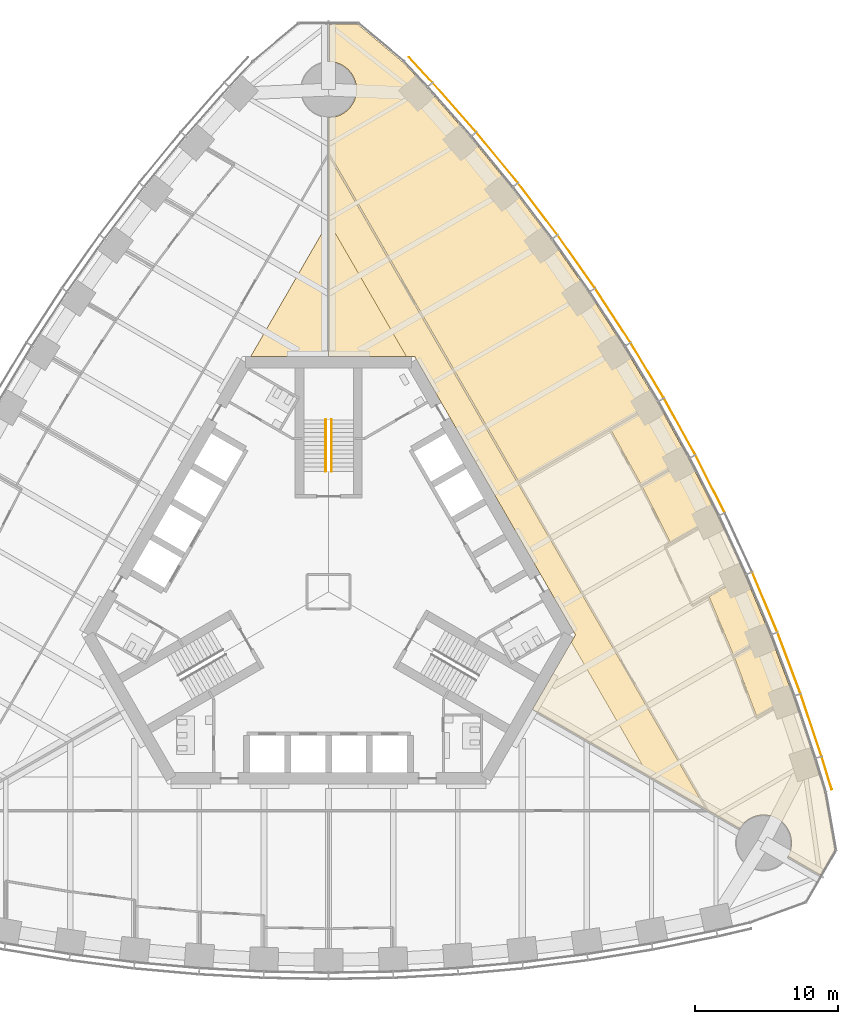
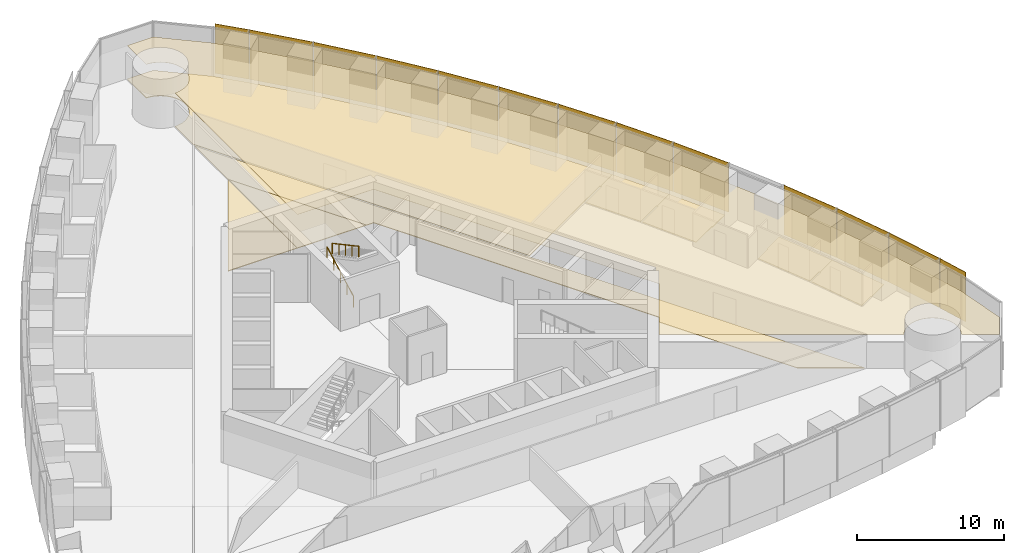
# One storey, part 16 of 18: 13 shading devices, 9 coverings, 2 railings.
"""IFC4 building model written with IfcOpenShell, lengths in metres."""

from ifc_helpers import new_model, si_unit, direction, frame, origin, origin_2d, place, context, subcontext, project, spatial, polyline, rectangle, circle, outline, extrude, material, layer, layer_set, type_object, element, save


model = new_model("IFC4")

# Units and contexts
model_context = context("Model", 3, precision=1e-05, world=origin(), true_north=direction((0.0, 1.0)))
body_context = subcontext(model_context, "Body", "Model", "MODEL_VIEW")
ifc_project = project(units=[si_unit("LENGTHUNIT", "METRE"), si_unit("AREAUNIT", "SQUARE_METRE"), si_unit("VOLUMEUNIT", "CUBIC_METRE"), si_unit("PLANEANGLEUNIT", "RADIAN"), si_unit("MASSUNIT", "GRAM", prefix="KILO")], contexts=[model_context])

# Site, building, storey
site_placement = place(None, origin())
site = spatial("IfcSite", under=ifc_project, at=site_placement, CompositionType="ELEMENT")
building_placement = place(site_placement, origin())
building = spatial("IfcBuilding", under=site, at=building_placement, Name="Trefoil Bronze Tower", CompositionType="ELEMENT")
storey_placement = place(building_placement, frame((0.0, 0.0, 161.89990234375)))
storey = spatial("IfcBuildingStorey", under=building, at=storey_placement, Name="L37", CompositionType="ELEMENT", Elevation=161.89990234375)

# Shading devices
ifc_material_1 = material(Name="Perforated bronze sheet", Category="bronze")
ifc_layer_1 = layer(ifc_material_1, 0.0400390625)
ifc_layer_set_1 = layer_set([ifc_layer_1], Name="Bronze solar screen panel")
shading_device_type = type_object("IfcShadingDeviceType", Name="Bronze solar screen panel", PredefinedType="SHUTTER", material=ifc_layer_set_1)
shading_device_1_placement = place(storey_placement, frame((34.717529296875, -12.634765625, 0.050048828125), z_axis=(0.0, 0.0, 1.0), x_axis=(-0.291668676391, 0.956519410787, 0.0)))
element("IfcShadingDevice", 1, at=shading_device_1_placement, inside=storey, type_object=shading_device_type, Name="Solar screen CW-A L37 F2 bay 1", PredefinedType="SHUTTER", context=body_context, shape_type="SweptSolid", body=[
    extrude(rectangle(XDim=2.39013671875, YDim=0.0400390625, at=origin_2d()), origin(), (0.0, 0.0, 1.0), 4.10009765625),
])
shading_device_2_placement = place(storey_placement, frame((33.62890625, -9.286865234375, 0.050048828125), z_axis=(0.0, 0.0, 1.0), x_axis=(-0.318403749569, 0.947955195281, 0.0)))
element("IfcShadingDevice", 2, at=shading_device_2_placement, inside=storey, type_object=shading_device_type, Name="Solar screen CW-A L37 F2 bay 2", PredefinedType="SHUTTER", context=body_context, shape_type="SweptSolid", body=[
    extrude(rectangle(XDim=4.56103515625, YDim=0.0400390625, at=origin_2d()), origin(), (0.0, 0.0, 1.0), 4.10009765625),
])
shading_device_3_placement = place(storey_placement, frame((32.086669921875, -4.95849609375, 0.050048828125), z_axis=(0.0, 0.0, 1.0), x_axis=(-0.352919739707, 0.935653599002, 0.0)))
element("IfcShadingDevice", 3, at=shading_device_3_placement, inside=storey, type_object=shading_device_type, Name="Solar screen CW-A L37 F2 bay 3", PredefinedType="SHUTTER", context=body_context, shape_type="SweptSolid", body=[
    extrude(rectangle(XDim=4.5302734375, YDim=0.0400390625, at=origin_2d()), origin(), (0.0, 0.0, 1.0), 4.10009765625),
])
shading_device_4_placement = place(storey_placement, frame((30.3974609375, -0.715087890625, 0.050048828125), z_axis=(0.0, 0.0, 1.0), x_axis=(-0.386759234303, 0.922180727776, 0.0)))
element("IfcShadingDevice", 4, at=shading_device_4_placement, inside=storey, type_object=shading_device_type, Name="Solar screen CW-A L37 F2 bay 4", PredefinedType="SHUTTER", context=body_context, shape_type="SweptSolid", body=[
    extrude(rectangle(XDim=4.50634765625, YDim=0.0400390625, at=origin_2d()), origin(), (0.0, 0.0, 1.0), 4.10009765625),
])
shading_device_5_placement = place(storey_placement, frame((26.5869140625, 7.52197265625, 0.050048828125), z_axis=(0.0, 0.0, 1.0), x_axis=(-0.452448919686, 0.891790320128, 0.0)))
element("IfcShadingDevice", 5, at=shading_device_5_placement, inside=storey, type_object=shading_device_type, Name="Solar screen CW-A L37 F2 bay 6", PredefinedType="SHUTTER", context=body_context, shape_type="SweptSolid", body=[
    extrude(rectangle(XDim=4.4765625, YDim=0.0400390625, at=origin_2d()), origin(), (0.0, 0.0, 1.0), 4.10009765625),
])
for number, where, z_axis, x_axis, name in (
    (6, (24.468505859375, 11.517578125, 0.050048828125), (0.0, 0.0, 1.0), (-0.484312195836, 0.874895249138, 0.0), "Solar screen CW-A L37 F2 bay 7"),
    (7, (22.208740234375, 15.431396484375, 0.050048828125), (0.0, 0.0, 1.0), (-0.515525413486, 0.856874289526, 0.0), "Solar screen CW-A L37 F2 bay 8"),
):
    element("IfcShadingDevice", number, at=place(storey_placement, frame(where, z_axis=z_axis, x_axis=x_axis)), inside=storey, type_object=shading_device_type, Name=name, PredefinedType="SHUTTER", context=body_context, shape_type="SweptSolid", body=[
        extrude(rectangle(XDim=4.470703125, YDim=0.0400390625, at=origin_2d()), origin(), (0.0, 0.0, 1.0), 4.10009765625),
    ])
shading_device_6_placement = place(storey_placement, frame((19.8076171875, 19.263916015625, 0.050048828125), z_axis=(0.0, 0.0, 1.0), x_axis=(-0.546088612237, 0.837727418427, 0.0)))
element("IfcShadingDevice", 8, at=shading_device_6_placement, inside=storey, type_object=shading_device_type, Name="Solar screen CW-A L37 F2 bay 9", PredefinedType="SHUTTER", context=body_context, shape_type="SweptSolid", body=[
    extrude(rectangle(XDim=4.4765625, YDim=0.0400390625, at=origin_2d()), origin(), (0.0, 0.0, 1.0), 4.10009765625),
])
shading_device_7_placement = place(storey_placement, frame((17.264892578125, 23.014404296875, 0.050048828125), z_axis=(0.0, 0.0, 1.0), x_axis=(-0.575999283275, 0.817450197667, 0.0)))
element("IfcShadingDevice", 9, at=shading_device_7_placement, inside=storey, type_object=shading_device_type, Name="Solar screen CW-A L37 F2 bay 10", PredefinedType="SHUTTER", context=body_context, shape_type="SweptSolid", body=[
    extrude(rectangle(XDim=4.48828125, YDim=0.0400390625, at=origin_2d()), origin(), (0.0, 0.0, 1.0), 4.10009765625),
])
shading_device_8_placement = place(storey_placement, frame((14.579345703125, 26.6826171875, 0.050048828125), z_axis=(0.0, 0.0, 1.0), x_axis=(-0.605252319983, 0.796033685943, 0.0)))
element("IfcShadingDevice", 10, at=shading_device_8_placement, inside=storey, type_object=shading_device_type, Name="Solar screen CW-A L37 F2 bay 11", PredefinedType="SHUTTER", context=body_context, shape_type="SweptSolid", body=[
    extrude(rectangle(XDim=4.50634765625, YDim=0.0400390625, at=origin_2d()), origin(), (0.0, 0.0, 1.0), 4.10009765625),
])
shading_device_9_placement = place(storey_placement, frame((11.7490234375, 30.26708984375, 0.050048828125), z_axis=(0.0, 0.0, 1.0), x_axis=(-0.633839916024, 0.773464259584, 0.0)))
element("IfcShadingDevice", 11, at=shading_device_9_placement, inside=storey, type_object=shading_device_type, Name="Solar screen CW-A L37 F2 bay 12", PredefinedType="SHUTTER", context=body_context, shape_type="SweptSolid", body=[
    extrude(rectangle(XDim=4.5302734375, YDim=0.0400390625, at=origin_2d()), origin(), (0.0, 0.0, 1.0), 4.10009765625),
])
shading_device_10_placement = place(storey_placement, frame((8.77197265625, 33.766845703125, 0.050048828125), z_axis=(0.0, 0.0, 1.0), x_axis=(-0.661751405978, 0.749723333428, 0.0)))
element("IfcShadingDevice", 12, at=shading_device_10_placement, inside=storey, type_object=shading_device_type, Name="Solar screen CW-A L37 F2 bay 13", PredefinedType="SHUTTER", context=body_context, shape_type="SweptSolid", body=[
    extrude(rectangle(XDim=4.56103515625, YDim=0.0400390625, at=origin_2d()), origin(), (0.0, 0.0, 1.0), 4.10009765625),
])
shading_device_11_placement = place(storey_placement, frame((6.416748046875, 36.383544921875, 0.050048828125), z_axis=(0.0, 0.0, 1.0), x_axis=(-0.682535770759, 0.730852188636, 0.0)))
element("IfcShadingDevice", 13, at=shading_device_11_placement, inside=storey, type_object=shading_device_type, Name="Solar screen CW-A L37 F2 bay 14", PredefinedType="SHUTTER", context=body_context, shape_type="SweptSolid", body=[
    extrude(rectangle(XDim=2.39013671875, YDim=0.0400390625, at=origin_2d()), origin(), (0.0, 0.0, 1.0), 4.10009765625),
])

# Railings
ifc_material_2 = material(Name="Steel handrail", Category="steel")
railing_type = type_object("IfcRailingType", Name="Handrail 900", PredefinedType="HANDRAIL", material=ifc_material_2)
railing_1_placement = place(storey_placement, frame((-0.199951171875, 8.389892578125, 0.16162109375)))
element("IfcRailing", 14, at=railing_1_placement, inside=storey, type_object=railing_type, Name="Handrail ST2 flight 1 L37", PredefinedType="HANDRAIL", context=body_context, shape_type="SweptSolid", body=[
    extrude(circle(Radius=0.02392578125, at=origin_2d()), frame((0.0, 0.0, 0.8759765625), z_axis=(0.0, 0.880474934443, 0.474092701714), x_axis=(-1.0, 0.0, 0.0)), (0.0, 0.0, 1.0), 4.0888671875),
    extrude(circle(Radius=0.02099609375, at=origin_2d()), origin(), (0.0, 0.0, 1.0), 0.851806640625),
    extrude(circle(Radius=0.02099609375, at=origin_2d()), frame((0.0, 0.89990234375, 0.484619140625)), (0.0, 0.0, 1.0), 0.851806640625),
    extrude(circle(Radius=0.02099609375, at=origin_2d()), frame((0.0, 1.800048828125, 0.96923828125)), (0.0, 0.0, 1.0), 0.851806640625),
    extrude(circle(Radius=0.02099609375, at=origin_2d()), frame((0.0, 2.7001953125, 1.453857421875)), (0.0, 0.0, 1.0), 0.851806640625),
    extrude(circle(Radius=0.02099609375, at=origin_2d()), frame((0.0, 3.60009765625, 1.9384765625)), (0.0, 0.0, 1.0), 0.851806640625),
])
railing_2_placement = place(storey_placement, frame((0.199951171875, 11.989990234375, 2.26171875)))
element("IfcRailing", 15, at=railing_2_placement, inside=storey, type_object=railing_type, Name="Handrail ST2 flight 2 L37", PredefinedType="HANDRAIL", context=body_context, shape_type="SweptSolid", body=[
    extrude(circle(Radius=0.02392578125, at=origin_2d()), frame((0.0, 0.0, 0.8759765625), z_axis=(0.0, -0.880474934443, 0.474092701714), x_axis=(1.0, 0.0, 0.0)), (0.0, 0.0, 1.0), 4.0888671875),
    extrude(circle(Radius=0.02099609375, at=origin_2d()), origin(), (0.0, 0.0, 1.0), 0.851806640625),
    extrude(circle(Radius=0.02099609375, at=origin_2d()), frame((0.0, -0.89990234375, 0.484619140625)), (0.0, 0.0, 1.0), 0.851806640625),
    extrude(circle(Radius=0.02099609375, at=origin_2d()), frame((0.0, -1.800048828125, 0.96923828125)), (0.0, 0.0, 1.0), 0.851806640625),
    extrude(circle(Radius=0.02099609375, at=origin_2d()), frame((0.0, -2.7001953125, 1.453857421875)), (0.0, 0.0, 1.0), 0.851806640625),
    extrude(circle(Radius=0.02099609375, at=origin_2d()), frame((0.0, -3.60009765625, 1.9384765625)), (0.0, 0.0, 1.0), 0.851806640625),
])

# Coverings
ifc_material_3 = material(Name="Acoustic ceiling panels", Category="mineral fibre")
ifc_layer_2 = layer(ifc_material_3, 0.02001953125)
ifc_layer_set_2 = layer_set([ifc_layer_2], Name="Office ceiling 20")
covering_type_1 = type_object("IfcCoveringType", Name="Office ceiling 20", PredefinedType="CEILING", material=ifc_layer_set_2)
covering_1_placement = place(storey_placement, frame((0.0, 0.0, 2.900146484375)))
element("IfcCovering", 16, at=covering_1_placement, inside=storey, type_object=covering_type_1, Name="Ceiling L37 Workspace F2", PredefinedType="CEILING", context=body_context, shape_type="SweptSolid", body=[
    extrude(outline(polyline([(6.847900390625, 35.130615234375), (9.885986328125, 31.6884765625), (12.776611328125, 28.1611328125), (15.522216796875, 24.55029296875), (18.124755859375, 20.856689453125), (20.585693359375, 17.081298828125), (22.906005859375, 13.224853515625), (25.085693359375, 9.287109375), (27.124755859375, 5.268310546875), (29.022216796875, 1.16748046875), (30.776611328125, -3.015625), (32.385986328125, -7.28271484375), (33.847900390625, -11.634765625), (34.5537109375, -13.94970703125), (35.2666015625, -17.99169921875), (34.247802734375, -19.755859375), (32.006103515625, -18.462646484375), (32.030517578125, -18.419189453125), (32.07373046875, -18.333740234375), (32.112548828125, -18.24609375), (32.14697265625, -18.156982421875), (32.177001953125, -18.066162109375), (32.202392578125, -17.973876953125), (32.223388671875, -17.88037109375), (32.23974609375, -17.7861328125), (32.25146484375, -17.691162109375), (32.258544921875, -17.595703125), (32.260986328125, -17.5), (32.258544921875, -17.404296875), (32.25146484375, -17.308837890625), (32.23974609375, -17.2138671875), (32.223388671875, -17.11962890625), (32.202392578125, -17.026123046875), (32.177001953125, -16.933837890625), (32.14697265625, -16.843017578125), (32.112548828125, -16.75390625), (32.07373046875, -16.666259765625), (32.030517578125, -16.580810546875), (31.9833984375, -16.49755859375), (31.932373046875, -16.41650390625), (31.877197265625, -16.33837890625), (31.818359375, -16.262939453125), (31.755615234375, -16.1904296875), (31.689697265625, -16.12109375), (31.620361328125, -16.05517578125), (31.548095703125, -15.99267578125), (31.472412109375, -15.93359375), (31.394287109375, -15.878662109375), (31.3134765625, -15.827392578125), (31.22998046875, -15.7802734375), (31.14453125, -15.7373046875), (31.05712890625, -15.698486328125), (30.9677734375, -15.6640625), (30.876953125, -15.634033203125), (30.78466796875, -15.6083984375), (30.69140625, -15.58740234375), (30.596923828125, -15.571044921875), (30.501953125, -15.559326171875), (30.406494140625, -15.55224609375), (30.310791015625, -15.550048828125), (30.215087890625, -15.55224609375), (30.119873046875, -15.559326171875), (30.02490234375, -15.571044921875), (29.930419921875, -15.58740234375), (29.837158203125, -15.6083984375), (29.744873046875, -15.634033203125), (29.654052734375, -15.6640625), (29.564697265625, -15.698486328125), (29.477294921875, -15.7373046875), (29.3916015625, -15.7802734375), (29.308349609375, -15.827392578125), (29.2275390625, -15.878662109375), (29.1494140625, -15.93359375), (29.07373046875, -15.99267578125), (29.001220703125, -16.05517578125), (28.931884765625, -16.12109375), (28.865966796875, -16.1904296875), (28.803466796875, -16.262939453125), (28.74462890625, -16.33837890625), (28.689453125, -16.41650390625), (28.628662109375, -16.514404296875), (14.205810546875, -8.194580078125), (17.205078125, -3.0), (6.00439453125, 16.39990234375), (0.006103515625, 16.39990234375), (0.012451171875, 33.05029296875), (0.095703125, 33.05224609375), (0.191162109375, 33.059326171875), (0.2861328125, 33.071044921875), (0.38037109375, 33.08740234375), (0.473876953125, 33.1083984375), (0.566162109375, 33.134033203125), (0.656982421875, 33.1640625), (0.74609375, 33.198486328125), (0.833740234375, 33.2373046875), (0.919189453125, 33.2802734375), (1.00244140625, 33.327392578125), (1.08349609375, 33.378662109375), (1.16162109375, 33.43359375), (1.237060546875, 33.49267578125), (1.3095703125, 33.55517578125), (1.37890625, 33.62109375), (1.44482421875, 33.6904296875), (1.50732421875, 33.762939453125), (1.56640625, 33.83837890625), (1.621337890625, 33.91650390625), (1.672607421875, 33.99755859375), (1.7197265625, 34.080810546875), (1.7626953125, 34.166259765625), (1.801513671875, 34.25390625), (1.8359375, 34.343017578125), (1.865966796875, 34.433837890625), (1.8916015625, 34.526123046875), (1.91259765625, 34.61962890625), (1.928955078125, 34.7138671875), (1.940673828125, 34.808837890625), (1.94775390625, 34.904296875), (1.949951171875, 35.0), (1.94775390625, 35.095703125), (1.940673828125, 35.191162109375), (1.928955078125, 35.2861328125), (1.91259765625, 35.38037109375), (1.8916015625, 35.473876953125), (1.865966796875, 35.566162109375), (1.8359375, 35.656982421875), (1.801513671875, 35.74609375), (1.7626953125, 35.833740234375), (1.7197265625, 35.919189453125), (1.672607421875, 36.00244140625), (1.621337890625, 36.08349609375), (1.56640625, 36.16162109375), (1.50732421875, 36.237060546875), (1.44482421875, 36.3095703125), (1.37890625, 36.37890625), (1.3095703125, 36.44482421875), (1.237060546875, 36.50732421875), (1.16162109375, 36.56640625), (1.08349609375, 36.621337890625), (1.00244140625, 36.672607421875), (0.919189453125, 36.7197265625), (0.833740234375, 36.7626953125), (0.74609375, 36.801513671875), (0.656982421875, 36.8359375), (0.566162109375, 36.865966796875), (0.473876953125, 36.8916015625), (0.38037109375, 36.91259765625), (0.2861328125, 36.928955078125), (0.191162109375, 36.940673828125), (0.095703125, 36.94775390625), (0.013916015625, 36.94970703125), (0.014892578125, 39.53759765625), (2.052001953125, 39.53759765625), (5.1962890625, 36.8994140625), (6.847900390625, 35.130615234375)])), origin(), (0.0, 0.0, 1.0), 0.02001953125),
])
ifc_material_4 = material(Name="Raised access floor panels", Category="steel")
ifc_layer_3 = layer(ifc_material_4, 0.050048828125)
ifc_layer_set_3 = layer_set([ifc_layer_3], Name="Raised access floor 150")
covering_type_2 = type_object("IfcCoveringType", Name="Raised access floor 150", PredefinedType="FLOORING", material=ifc_layer_set_3)
covering_2_placement = place(storey_placement, frame((0.0, 0.0, 0.10009765625)))
element("IfcCovering", 17, at=covering_2_placement, inside=storey, type_object=covering_type_2, Name="Raised floor L37 Team room F2", PredefinedType="FLOORING", context=body_context, shape_type="SweptSolid", body=[
    extrude(outline(polyline([(22.906005859375, 13.224853515625), (25.085693359375, 9.287109375), (23.67333984375, 8.4716796875), (23.643310546875, 8.523681640625), (21.796142578125, 7.457275390625), (19.681884765625, 11.276611328125), (21.531982421875, 12.344970703125), (21.494384765625, 12.409912109375), (22.906005859375, 13.224853515625)])), origin(), (0.0, 0.0, 1.0), 0.050048828125),
])
covering_3_placement = place(storey_placement, frame((0.0, 0.0, 0.10009765625)))
element("IfcCovering", 18, at=covering_3_placement, inside=storey, type_object=covering_type_2, Name="Raised floor L37 Team room F2", PredefinedType="FLOORING", context=body_context, shape_type="SweptSolid", body=[
    extrude(outline(polyline([(25.085693359375, 9.287109375), (27.124755859375, 5.268310546875), (25.709716796875, 4.451171875), (25.6796875, 4.503173828125), (23.837158203125, 3.439453125), (21.8525390625, 7.35107421875), (23.703369140625, 8.419677734375), (23.67333984375, 8.4716796875), (25.085693359375, 9.287109375)])), origin(), (0.0, 0.0, 1.0), 0.050048828125),
])
covering_4_placement = place(storey_placement, frame((0.0, 0.0, 0.10009765625)))
element("IfcCovering", 19, at=covering_4_placement, inside=storey, type_object=covering_type_2, Name="Raised floor L37 Focus room F2", PredefinedType="FLOORING", context=body_context, shape_type="SweptSolid", body=[
    extrude(outline(polyline([(29.022216796875, 1.16748046875), (30.776611328125, -3.015625), (29.350341796875, -3.839111328125), (29.3203125, -3.787353515625), (28.229248046875, -4.417236328125), (26.521484375, -0.345458984375), (27.63232421875, 0.2958984375), (27.602294921875, 0.347900390625), (29.022216796875, 1.16748046875)])), origin(), (0.0, 0.0, 1.0), 0.050048828125),
])
covering_5_placement = place(storey_placement, frame((0.0, 0.0, 0.10009765625)))
element("IfcCovering", 20, at=covering_5_placement, inside=storey, type_object=covering_type_2, Name="Raised floor L37 Focus room F2", PredefinedType="FLOORING", context=body_context, shape_type="SweptSolid", body=[
    extrude(outline(polyline([(30.776611328125, -3.015625), (32.385986328125, -7.28271484375), (30.951171875, -8.111083984375), (30.921142578125, -8.05908203125), (29.8408203125, -8.682861328125), (28.2744140625, -4.52978515625), (29.38037109375, -3.89111328125), (29.350341796875, -3.839111328125), (30.776611328125, -3.015625)])), origin(), (0.0, 0.0, 1.0), 0.050048828125),
])
covering_6_placement = place(storey_placement, frame((0.0, 0.0, 0.10009765625)))
element("IfcCovering", 21, at=covering_6_placement, inside=storey, type_object=covering_type_2, Name="Raised floor L37 Corridor F2", PredefinedType="FLOORING", context=body_context, shape_type="SweptSolid", body=[
    extrude(outline(polyline([(26.31591796875, -15.180419921875), (22.333740234375, -12.88330078125), (16.91650390625, -3.5), (17.205078125, -3.0), (6.00439453125, 16.39990234375), (5.427001953125, 16.39990234375), (0.009765625, 25.783203125), (0.011474609375, 30.38037109375), (26.31591796875, -15.180419921875)])), origin(), (0.0, 0.0, 1.0), 0.050048828125),
])
covering_7_placement = place(storey_placement, frame((0.0, 0.0, 0.10009765625)))
element("IfcCovering", 22, at=covering_7_placement, inside=storey, type_object=covering_type_2, Name="Raised floor L37 Workspace F2", PredefinedType="FLOORING", context=body_context, shape_type="SweptSolid", body=[
    extrude(outline(polyline([(12.776611328125, 28.1611328125), (15.522216796875, 24.55029296875), (18.124755859375, 20.856689453125), (20.585693359375, 17.081298828125), (22.905517578125, 13.2255859375), (21.493896484375, 12.41064453125), (21.45703125, 12.474853515625), (13.22998046875, 7.72509765625), (0.068359375, 30.521484375), (0.011474609375, 30.488525390625), (0.012451171875, 33.05029296875), (0.095703125, 33.05224609375), (0.191162109375, 33.059326171875), (0.2861328125, 33.071044921875), (0.38037109375, 33.08740234375), (0.473876953125, 33.1083984375), (0.566162109375, 33.134033203125), (0.656982421875, 33.1640625), (0.74609375, 33.198486328125), (0.833740234375, 33.2373046875), (0.919189453125, 33.2802734375), (1.00244140625, 33.327392578125), (1.08349609375, 33.378662109375), (1.16162109375, 33.43359375), (1.237060546875, 33.49267578125), (1.3095703125, 33.55517578125), (1.37890625, 33.62109375), (1.44482421875, 33.6904296875), (1.50732421875, 33.762939453125), (1.56640625, 33.83837890625), (1.621337890625, 33.91650390625), (1.672607421875, 33.99755859375), (1.7197265625, 34.080810546875), (1.7626953125, 34.166259765625), (1.801513671875, 34.25390625), (1.8359375, 34.343017578125), (1.865966796875, 34.433837890625), (1.8916015625, 34.526123046875), (1.91259765625, 34.61962890625), (1.928955078125, 34.7138671875), (1.940673828125, 34.808837890625), (1.94775390625, 34.904296875), (1.949951171875, 35.0), (1.94775390625, 35.095703125), (1.940673828125, 35.191162109375), (1.928955078125, 35.2861328125), (1.91259765625, 35.38037109375), (1.8916015625, 35.473876953125), (1.865966796875, 35.566162109375), (1.8359375, 35.656982421875), (1.801513671875, 35.74609375), (1.7626953125, 35.833740234375), (1.7197265625, 35.919189453125), (1.672607421875, 36.00244140625), (1.621337890625, 36.08349609375), (1.56640625, 36.16162109375), (1.50732421875, 36.237060546875), (1.44482421875, 36.3095703125), (1.37890625, 36.37890625), (1.3095703125, 36.44482421875), (1.237060546875, 36.50732421875), (1.16162109375, 36.56640625), (1.08349609375, 36.621337890625), (1.00244140625, 36.672607421875), (0.919189453125, 36.7197265625), (0.833740234375, 36.7626953125), (0.74609375, 36.801513671875), (0.656982421875, 36.8359375), (0.566162109375, 36.865966796875), (0.473876953125, 36.8916015625), (0.38037109375, 36.91259765625), (0.2861328125, 36.928955078125), (0.191162109375, 36.940673828125), (0.095703125, 36.94775390625), (0.013916015625, 36.94970703125), (0.014892578125, 39.53759765625), (2.052001953125, 39.53759765625), (5.1962890625, 36.8994140625), (6.847900390625, 35.130615234375), (9.885986328125, 31.6884765625), (12.776611328125, 28.1611328125)])), origin(), (0.0, 0.0, 1.0), 0.050048828125),
])
covering_8_placement = place(storey_placement, frame((0.0, 0.0, 0.10009765625)))
element("IfcCovering", 23, at=covering_8_placement, inside=storey, type_object=covering_type_2, Name="Raised floor L37 Workspace F2", PredefinedType="FLOORING", context=body_context, shape_type="SweptSolid", body=[
    extrude(outline(polyline([(0.006103515625, 16.39990234375), (0.009765625, 25.783203125), (5.427001953125, 16.39990234375), (0.006103515625, 16.39990234375)])), origin(), (0.0, 0.0, 1.0), 0.050048828125),
])
covering_9_placement = place(storey_placement, frame((0.0, 0.0, 0.10009765625)))
element("IfcCovering", 24, at=covering_9_placement, inside=storey, type_object=covering_type_2, Name="Raised floor L37 Workspace F3", PredefinedType="FLOORING", context=body_context, shape_type="SweptSolid", body=[
    extrude(outline(polyline([(-0.009765625, 25.783203125), (-0.006103515625, 16.39990234375), (-5.427001953125, 16.39990234375), (-0.009765625, 25.783203125)])), origin(), (0.0, 0.0, 1.0), 0.050048828125),
])

save(model, "model.ifc")
